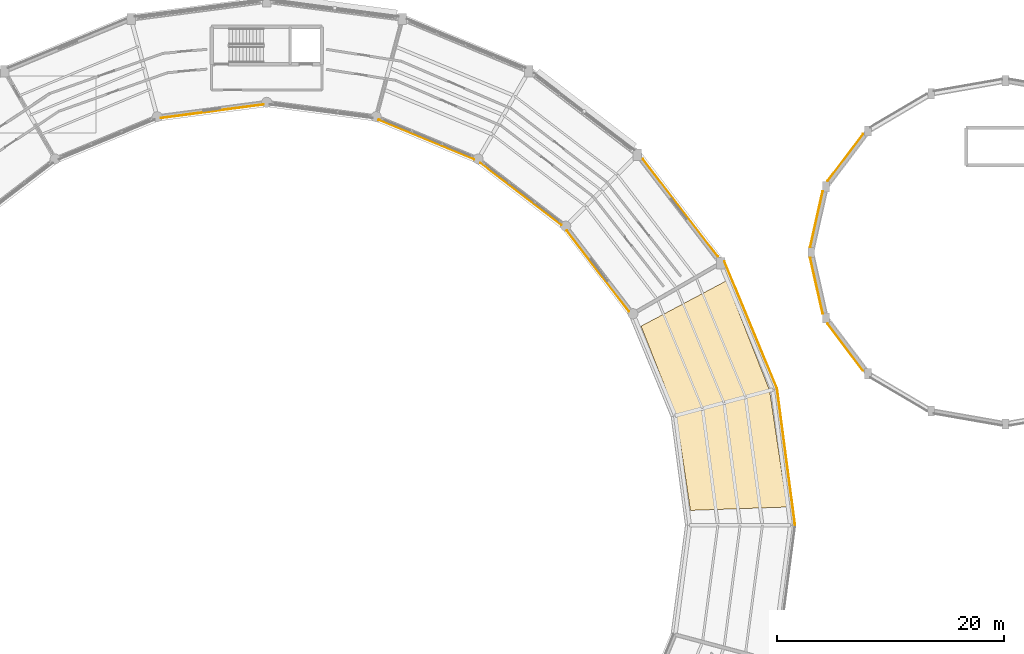
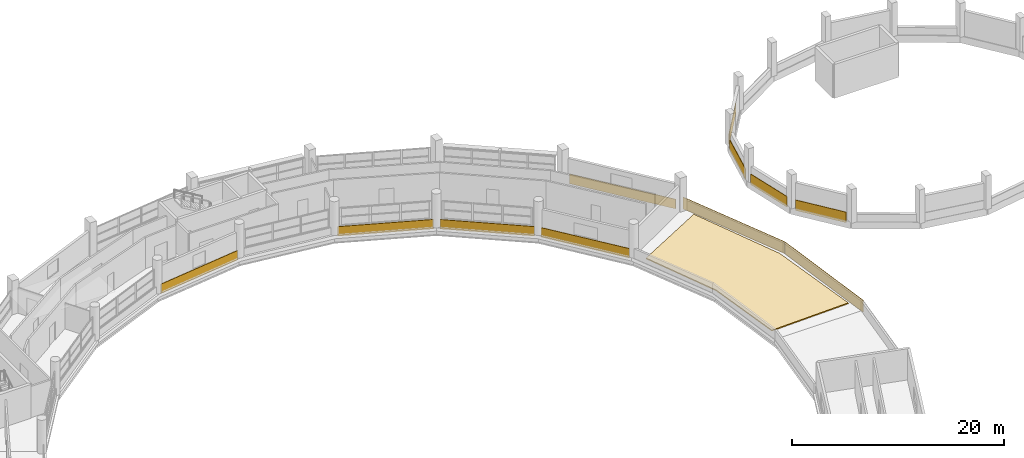
# One storey, part 105 of 108: 12 coverings.
"""IFC4 building model written with IfcOpenShell, lengths in metres."""

from ifc_helpers import new_model, si_unit, direction, frame, frame_2d, origin, place, context, subcontext, project, spatial, polyline, rectangle, outline, extrude, material, layer, layer_set, type_object, element, save


model = new_model("IFC4")

# Units and contexts
model_context = context("Model", 3, precision=1e-05, world=origin(), true_north=direction((0.0, 1.0)))
body_context = subcontext(model_context, "Body", "Model", "MODEL_VIEW")
ifc_project = project(units=[si_unit("LENGTHUNIT", "METRE"), si_unit("AREAUNIT", "SQUARE_METRE"), si_unit("VOLUMEUNIT", "CUBIC_METRE"), si_unit("PLANEANGLEUNIT", "RADIAN"), si_unit("MASSUNIT", "GRAM", prefix="KILO")], contexts=[model_context])

# Site, building, storey
site_placement = place(None, origin())
site = spatial("IfcSite", under=ifc_project, at=site_placement, CompositionType="ELEMENT")
building_placement = place(site_placement, origin())
building = spatial("IfcBuilding", under=site, at=building_placement, Name="Vespera Passage Community Centre", CompositionType="ELEMENT")
storey_placement = place(building_placement, frame((0.0, 0.0, 12.60009765625)))
storey = spatial("IfcBuildingStorey", under=building, at=storey_placement, Name="L03", CompositionType="ELEMENT", Elevation=12.60009765625)

# Coverings
ifc_material_1 = material(Name="Precast concrete f'c 40 MPa", Category="concrete")
ifc_layer_1 = layer(ifc_material_1, 0.06005859375)
ifc_layer_set_1 = layer_set([ifc_layer_1], Name="Precast concrete f'c 40 MPa")
covering_type_1 = type_object("IfcCoveringType", Name="COV-CLAD-60E", PredefinedType="CLADDING", material=ifc_layer_set_1)
covering_1_placement = place(storey_placement, frame((111.09228515625, 97.732177734375, -0.280029296875), z_axis=(0.0, 0.0, 1.0), x_axis=(0.608767750285, -0.793348489765, 0.0)))
element("IfcCovering", 1, at=covering_1_placement, inside=storey, type_object=covering_type_1, Name="V4 L03 Outer White Sill Band O2", PredefinedType="CLADDING", context=body_context, shape_type="SweptSolid", body=[
    extrude(rectangle(XDim=10.8525390625, YDim=0.06005859375, at=frame_2d((5.42626953125, 0.0))), origin(), (0.0, 0.0, 1.0), 1.099853515625),
])
for number, where, z_axis, x_axis, name in (
    (2, (109.878173828125, 84.285888671875, -0.280029296875), (0.0, 0.0, 1.0), (-0.608765610033, 0.793350132061, 0.0), "V4 L03 Court White Sill Band I2"),
    (3, (103.9296875, 91.896484375, -0.280029296875), (0.0, 0.0, 1.0), (-0.793350132061, 0.608765610033, 0.0), "V4 L03 Inner Court White Spandrel Band I3"),
):
    element("IfcCovering", number, at=place(storey_placement, frame(where, z_axis=z_axis, x_axis=x_axis)), inside=storey, type_object=covering_type_1, Name=name, PredefinedType="CLADDING", context=body_context, shape_type="SweptSolid", body=[
        extrude(rectangle(XDim=9.004638671875, YDim=0.06005859375, at=frame_2d((4.50244140625, 0.0))), origin(), (0.0, 0.0, 1.0), 1.099853515625),
    ])
covering_2_placement = place(storey_placement, frame((96.263916015625, 97.6875, -0.280029296875), z_axis=(0.0, 0.0, 1.0), x_axis=(-0.92387477551, 0.38269491658, 0.0)))
element("IfcCovering", 4, at=covering_2_placement, inside=storey, type_object=covering_type_1, Name="V4 L03 Inner Court White Spandrel Band I4", PredefinedType="CLADDING", context=body_context, shape_type="SweptSolid", body=[
    extrude(rectangle(XDim=9.11181640625, YDim=0.06005859375, at=frame_2d((4.555908203125, 0.0))), origin(), (0.0, 0.0, 1.0), 1.099853515625),
])
covering_3_placement = place(storey_placement, frame((77.7451171875, 102.510009765625, -0.280029296875), z_axis=(0.0, 0.0, 1.0), x_axis=(-0.99144567161, -0.13052003772, 0.0)))
element("IfcCovering", 5, at=covering_3_placement, inside=storey, type_object=covering_type_1, Name="V4 L03 Court White Sill Band I6", PredefinedType="CLADDING", context=body_context, shape_type="SweptSolid", body=[
    extrude(rectangle(XDim=9.15625, YDim=0.06005859375, at=frame_2d((4.578125, 0.0))), origin(), (0.0, 0.0, 1.0), 1.099853515625),
])
covering_4_placement = place(storey_placement, frame((127.335205078125, 95.76953125, -0.260009765625), z_axis=(0.0, 0.0, 1.0), x_axis=(0.603398282319, 0.797439974477, 0.0)))
element("IfcCovering", 6, at=covering_4_placement, inside=storey, type_object=covering_type_1, Name="V2 L03 White Clerestory Band 7", PredefinedType="CLADDING", context=body_context, shape_type="SweptSolid", body=[
    extrude(rectangle(XDim=5.19873046875, YDim=0.06005859375, at=frame_2d((2.599365234375, 0.0))), origin(), (0.0, 0.0, 1.0), 1.2099609375),
])
for number, where, z_axis, x_axis, name in (
    (7, (125.810546875, 89.96728515625, -0.260009765625), (0.0, 0.0, 1.0), (0.219734171438, 0.975559784894, 0.0), "V2 L03 White Clerestory Band 8"),
    (8, (126.92041015625, 84.105224609375, -0.260009765625), (0.0, 0.0, 1.0), (-0.219734171438, 0.975559784894, 0.0), "V2 L03 White Clerestory Band 9"),
):
    element("IfcCovering", number, at=place(storey_placement, frame(where, z_axis=z_axis, x_axis=x_axis)), inside=storey, type_object=covering_type_1, Name=name, PredefinedType="CLADDING", context=body_context, shape_type="SweptSolid", body=[
        extrude(rectangle(XDim=5.051025390625, YDim=0.06005859375, at=frame_2d((2.525390625, 0.0))), origin(), (0.0, 0.0, 1.0), 1.2099609375),
    ])
covering_5_placement = place(storey_placement, frame((130.47216796875, 79.084716796875, -0.260009765625), z_axis=(0.0, 0.0, 1.0), x_axis=(-0.603398282319, 0.797439974477, 0.0)))
element("IfcCovering", 9, at=covering_5_placement, inside=storey, type_object=covering_type_1, Name="V2 L03 White Clerestory Band 10", PredefinedType="CLADDING", context=body_context, shape_type="SweptSolid", body=[
    extrude(rectangle(XDim=5.19873046875, YDim=0.06005859375, at=frame_2d((2.599365234375, 0.0))), origin(), (0.0, 0.0, 1.0), 1.2099609375),
])
covering_6_placement = place(storey_placement, frame((124.47900390625, 65.51708984375, -0.239990234375), z_axis=(0.0, 0.0, 1.0), x_axis=(-0.130528629367, 0.991444540514, 0.0)))
element("IfcCovering", 10, at=covering_6_placement, inside=storey, type_object=covering_type_1, Name="V4 L03 Step Crown White Band 1.1", PredefinedType="CLADDING", context=body_context, shape_type="SweptSolid", body=[
    extrude(rectangle(XDim=12.099609375, YDim=0.06005859375, at=frame_2d((6.0498046875, 0.0))), origin(), (0.0, 0.0, 1.0), 1.35986328125),
])
covering_7_placement = place(storey_placement, frame((122.890869140625, 77.5458984375, -0.239990234375), z_axis=(0.0, 0.0, 1.0), x_axis=(-0.382683249912, 0.923879608086, 0.0)))
element("IfcCovering", 11, at=covering_7_placement, inside=storey, type_object=covering_type_1, Name="V4 L03 Step Crown White Band 1.2", PredefinedType="CLADDING", context=body_context, shape_type="SweptSolid", body=[
    extrude(rectangle(XDim=12.099853515625, YDim=0.06005859375, at=frame_2d((6.0498046875, 0.0))), origin(), (0.0, 0.0, 1.0), 1.35986328125),
])
ifc_material_2 = material(Name="TPO roof membrane and rigid insulation")
ifc_layer_2 = layer(ifc_material_2, 0.1201171875)
ifc_layer_set_2 = layer_set([ifc_layer_2], Name="TPO roof membrane and rigid insulation")
covering_type_2 = type_object("IfcCoveringType", Name="COV-ROOF-120E", PredefinedType="ROOFING", material=ifc_layer_set_2)
covering_8_placement = place(storey_placement, origin())
element("IfcCovering", 12, at=covering_8_placement, inside=storey, type_object=covering_type_2, Name="V4 L03 Step Roof Membrane", PredefinedType="ROOFING", context=body_context, shape_type="SweptSolid", body=[
    extrude(outline(polyline([(123.772216796875, 67.098388671875), (122.239501953125, 77.35400390625), (118.43896484375, 87.001708984375), (110.933837890625, 83.01123046875), (114.029052734375, 75.154052734375), (115.27734375, 66.8017578125), (123.772216796875, 67.098388671875)])), origin(), (0.0, 0.0, 1.0), 0.119873046875),
])

save(model, "model.ifc")
